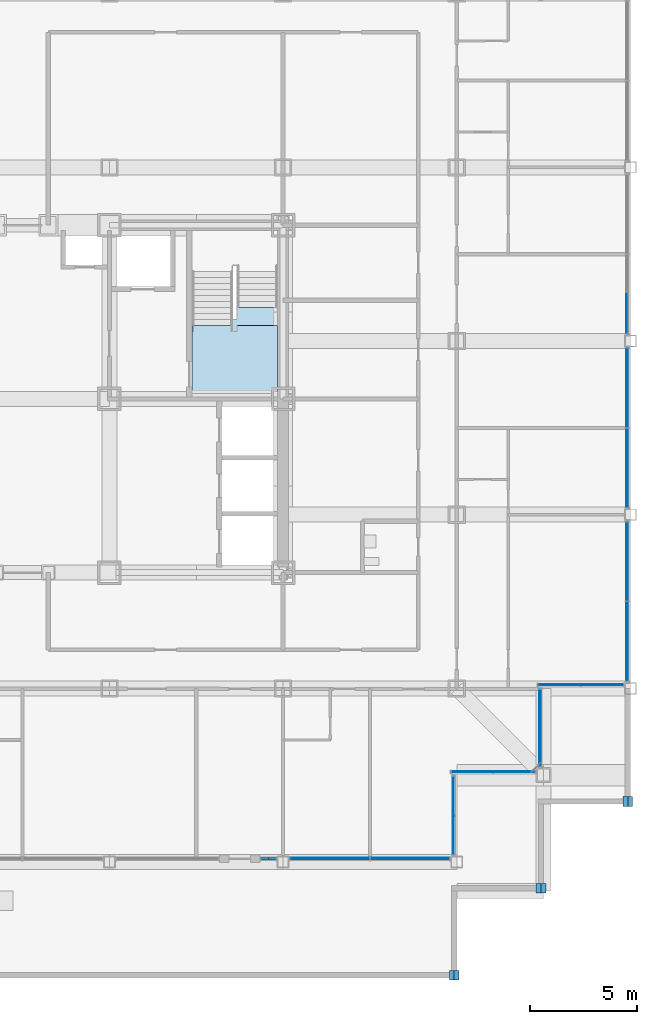
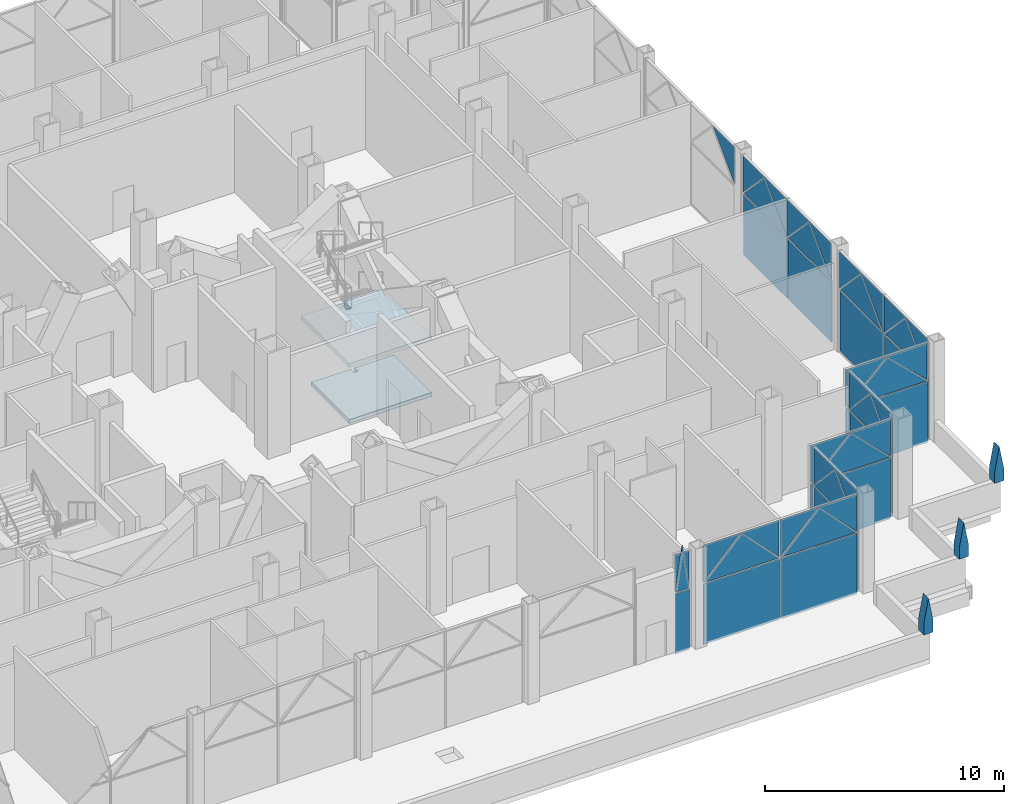
# One storey, part 14 of 29: 48 plates, 2 slabs, 10 elements without a shape of their own.
"""IFC4 building model written with IfcOpenShell, lengths in metres."""

import ifcopenshell
import ifcopenshell.guid

model = None  # the IFC model being written
_history = None  # IfcOwnerHistory: only IFC2X3 demands one
_inside = {}  # id of a spatial element -> (the spatial element, [elements in it])
_under = {}  # id of a project, library or spatial element -> (it, [spatial elements below it])
_declared = {}  # id of a project -> (the project, [libraries it declares])
_typed = {}  # id of a type object -> (the type object, [elements of that type])
_made_of = {}  # id of a material, layer set ... -> (it, [elements and type objects made of it])


def new_model(schema):
    """Start an empty IFC model of exactly this schema.

    Asked for "IFC4X3", IfcOpenShell would pick the latest addendum, in which some entities
    have other attributes; the version numbers below select the first issue.
    IFC2X3 requires an IfcOwnerHistory on every rooted entity: one is made here for all.
    """
    global model, _history
    if schema == "IFC4X3":
        model = ifcopenshell.file(schema_version=(4, 3, 0, 0))
    else:
        model = ifcopenshell.file(schema=schema)
    _inside.clear()
    _under.clear()
    _declared.clear()
    _typed.clear()
    _made_of.clear()
    _history = None
    if model.schema == "IFC2X3":
        org = make("IfcOrganization", Name="unknown")
        user = make(
            "IfcPersonAndOrganization",
            ThePerson=make("IfcPerson", FamilyName="unknown"),
            TheOrganization=org,
        )
        app = make(
            "IfcApplication",
            ApplicationDeveloper=org,
            Version="unknown",
            ApplicationFullName="unknown",
            ApplicationIdentifier="unknown",
        )
        _history = make(
            "IfcOwnerHistory",
            OwningUser=user,
            OwningApplication=app,
            ChangeAction="ADDED",
            CreationDate=0,
        )
    return model


def make(cls, **values):
    """One entity of the class cls with the attributes given. An attribute that is None is left unset."""
    return model.create_entity(
        cls, **{name: value for name, value in values.items() if value is not None}
    )


def rooted(cls, **values):
    """An entity with a GlobalId (a new one), such as an element, a storey or a relation."""
    return make(cls, GlobalId=ifcopenshell.guid.new(), OwnerHistory=_history, **values)


def si_unit(unit_type, name, prefix=None):
    """IfcSIUnit, for example si_unit("LENGTHUNIT", "METRE", prefix="MILLI")."""
    return make("IfcSIUnit", UnitType=unit_type, Prefix=prefix, Name=name)


def assignment(units):
    """IfcUnitAssignment: the units of a project."""
    return None if units is None else make("IfcUnitAssignment", Units=units)


def point(xyz):
    """IfcCartesianPoint."""
    return None if xyz is None else make("IfcCartesianPoint", Coordinates=xyz)


def direction(xyz):
    """IfcDirection."""
    return None if xyz is None else make("IfcDirection", DirectionRatios=xyz)


def frame(location, z_axis=None, x_axis=None):
    """IfcAxis2Placement3D, a coordinate frame: its origin and axes. An axis left out is left unset."""
    return make(
        "IfcAxis2Placement3D",
        Location=point(location),
        Axis=direction(z_axis),
        RefDirection=direction(x_axis),
    )


def frame_2d(location, x_axis=None):
    """IfcAxis2Placement2D, a coordinate frame in the plane: its origin and x axis."""
    return make(
        "IfcAxis2Placement2D", Location=point(location), RefDirection=direction(x_axis)
    )


def origin():
    """The frame at (0, 0, 0) with its axes left unset."""
    return frame((0.0, 0.0, 0.0))


def origin_2d():
    """The frame at (0, 0) in the plane with its x axis left unset."""
    return frame_2d((0.0, 0.0))


def place(relative_to, where):
    """IfcLocalPlacement: puts the frame where relative to a parent placement (None: the world)."""
    return make(
        "IfcLocalPlacement", PlacementRelTo=relative_to, RelativePlacement=where
    )


def context(
    kind, dimensions, precision=None, world=None, true_north=None, identifier=None
):
    """IfcGeometricRepresentationContext, for example the 3D "Model" context."""
    return make(
        "IfcGeometricRepresentationContext",
        ContextIdentifier=identifier,
        ContextType=kind,
        CoordinateSpaceDimension=dimensions,
        Precision=precision,
        WorldCoordinateSystem=world,
        TrueNorth=true_north,
    )


def subcontext(parent, identifier, kind, view, scale=None):
    """IfcGeometricRepresentationSubContext, for example "Body" below "Model"."""
    return make(
        "IfcGeometricRepresentationSubContext",
        ContextIdentifier=identifier,
        ContextType=kind,
        ParentContext=parent,
        TargetScale=scale,
        TargetView=view,
    )


def project(units=None, contexts=None):
    """IfcProject with its units and contexts."""
    return rooted(
        "IfcProject",
        Name="project",
        RepresentationContexts=contexts,
        UnitsInContext=assignment(units),
    )


def spatial(cls, under=None, at=None, **own):
    """A site, building, storey or space (cls), placed at a placement, below another one or the project."""
    s = rooted(cls, ObjectPlacement=at, **own)
    if under is not None:
        _under.setdefault(under.id(), (under, []))[1].append(s)
    return s


def polyline(points):
    """IfcPolyline through the points."""
    return make("IfcPolyline", Points=[point(p) for p in points])


def profile(cls, at=None, kind="AREA", **sizes):
    """A parametric profile (cls). Its sizes go by their IFC names, for example OverallWidth=200.0."""
    return make(cls, ProfileType=kind, Position=at, **sizes)


def rectangle(**sizes):
    """IfcRectangleProfileDef."""
    return profile("IfcRectangleProfileDef", **sizes)


def outline(outer, holes=None, kind="AREA"):
    """IfcArbitraryClosedProfileDef: a profile drawn as a closed curve; with holes, ...WithVoids."""
    if holes is None:
        return make("IfcArbitraryClosedProfileDef", ProfileType=kind, OuterCurve=outer)
    return make(
        "IfcArbitraryProfileDefWithVoids",
        ProfileType=kind,
        OuterCurve=outer,
        InnerCurves=holes,
    )


def extrude(swept, where, along, depth):
    """IfcExtrudedAreaSolid: the profile swept, set in the frame where, extruded along a direction by depth."""
    return make(
        "IfcExtrudedAreaSolid",
        SweptArea=swept,
        Position=where,
        ExtrudedDirection=direction(along),
        Depth=depth,
    )


def shape(context_of_items, identifier, shape_type, items):
    """IfcShapeRepresentation: the items that make up one representation, for example the "Body"."""
    return make(
        "IfcShapeRepresentation",
        ContextOfItems=context_of_items,
        RepresentationIdentifier=identifier,
        RepresentationType=shape_type,
        Items=items,
    )


def material(Name=None, Category=None):
    """IfcMaterial."""
    return make("IfcMaterial", Name=Name, Category=Category)


def layer(
    of_material, thickness, ventilated=None, Name=None, Category=None, Priority=None
):
    """IfcMaterialLayer: one layer of a wall or slab, of a material (None: an air gap)."""
    return make(
        "IfcMaterialLayer",
        Material=of_material,
        LayerThickness=thickness,
        IsVentilated=ventilated,
        Name=Name,
        Category=Category,
        Priority=Priority,
    )


def layer_set(layers, Name=None):
    """IfcMaterialLayerSet."""
    return make("IfcMaterialLayerSet", MaterialLayers=layers, LayerSetName=Name)


def made_of(thing, what):
    """Note that an element or type object is made of a material, layer set ...; save() writes the relation."""
    if what is not None:
        _made_of.setdefault(what.id(), (what, []))[1].append(thing)
    return thing


def type_object(cls, material=None, **own):
    """A type object (cls), such as IfcWallType, which elements share."""
    return made_of(rooted(cls, **own), material)


def element(
    cls,
    number,
    at=None,
    inside=None,
    cuts=None,
    type_object=None,
    material=None,
    context=None,
    identifier="Body",
    shape_type=None,
    held_by="IfcProductDefinitionShape",
    body=None,
    shapes=None,
    **own,
):
    """One element of the class cls, such as IfcWall. Its Tag is "e" and its number.

    at: its placement. inside: the storey or other place that contains it. cuts: it is an
    opening in that element (IfcRelVoidsElement). A single representation is given by context,
    identifier, shape_type and body (its items); several are given by shapes. held_by: the class
    of the entity that holds the representations. save() writes the other relations.
    """
    e = rooted(cls, Tag="e%d" % number, ObjectPlacement=at, **own)
    if body is not None:
        shapes = [shape(context, identifier, shape_type, body)]
    if shapes is not None:
        e.Representation = make(held_by, Representations=shapes)
    if inside is not None:
        _inside.setdefault(inside.id(), (inside, []))[1].append(e)
    if cuts is not None:
        rooted(
            "IfcRelVoidsElement", RelatingBuildingElement=cuts, RelatedOpeningElement=e
        )
    if type_object is not None:
        _typed.setdefault(type_object.id(), (type_object, []))[1].append(e)
    return made_of(e, material)


def aggregate(whole, parts):
    """IfcRelAggregates: a whole, such as a stair, and the parts it consists of."""
    return rooted("IfcRelAggregates", RelatingObject=whole, RelatedObjects=parts)


def save(model, path):
    """Write the relations noted so far, then the file.

    IfcRelAggregates (storeys below a building ...), IfcRelContainedInSpatialStructure (elements
    in a storey), IfcRelDefinesByType, IfcRelAssociatesMaterial and IfcRelDeclares: one each for
    every whole, place, type object, material and project.
    """
    for whole, parts in _under.values():
        aggregate(whole, parts)
    for where, things in _inside.values():
        rooted(
            "IfcRelContainedInSpatialStructure",
            RelatedElements=things,
            RelatingStructure=where,
        )
    for kind, things in _typed.values():
        rooted("IfcRelDefinesByType", RelatedObjects=things, RelatingType=kind)
    for what, things in _made_of.values():
        rooted("IfcRelAssociatesMaterial", RelatedObjects=things, RelatingMaterial=what)
    for by, libraries in _declared.values():
        rooted("IfcRelDeclares", RelatingContext=by, RelatedDefinitions=libraries)
    model.write(path)


model = new_model("IFC4")

# Units and contexts
model_context = context("Model", 3, precision=1e-05, world=origin(), true_north=direction((0.0, 1.0)))
body_context = subcontext(model_context, "Body", "Model", "MODEL_VIEW")
ifc_project = project(units=[si_unit("LENGTHUNIT", "METRE"), si_unit("AREAUNIT", "SQUARE_METRE"), si_unit("VOLUMEUNIT", "CUBIC_METRE"), si_unit("PLANEANGLEUNIT", "RADIAN"), si_unit("MASSUNIT", "GRAM", prefix="KILO")], contexts=[model_context])

# Site, building, storey
site_placement = place(None, origin())
site = spatial("IfcSite", under=ifc_project, at=site_placement, CompositionType="ELEMENT")
building_placement = place(site_placement, origin())
building = spatial("IfcBuilding", under=site, at=building_placement, Name="Kopane Lantern Tower", CompositionType="ELEMENT")
storey_placement = place(building_placement, frame((0.0, 0.0, 165.0)))
storey = spatial("IfcBuildingStorey", under=building, at=storey_placement, Name="L42", CompositionType="ELEMENT", Elevation=165.0)

# Curtain wall, plates
ifc_material_1 = material(Name="Aluminium and clear glass", Category="aluminium")
curtain_wall_type = type_object("IfcCurtainWallType", Name="CURTAIN WALL CW4 RESIDENCES LOBBY", PredefinedType="USERDEFINED", material=ifc_material_1)
curtain_wall_1_placement = place(storey_placement, origin())
curtain_wall_1 = element("IfcCurtainWall", 1, at=curtain_wall_1_placement, inside=storey, type_object=curtain_wall_type, Name="Curtain wall CW4 S L42", ObjectType="CURTAIN WALL", PredefinedType="USERDEFINED")
ifc_material_2 = material(Name="Insulated clear glass unit", Category="glass")
ifc_layer_1 = layer(ifc_material_2, 0.028076171875)
ifc_layer_set_1 = layer_set([ifc_layer_1], Name="CURTAIN PANEL CW4-P 28")
plate_type_1 = type_object("IfcPlateType", Name="CURTAIN PANEL CW4-P 28", PredefinedType="CURTAIN_PANEL", material=ifc_layer_set_1)
plate_1_placement = place(storey_placement, frame((39.822509765625, 10.949951171875, 0.06005859375), z_axis=(0.0, 0.0, 1.0), x_axis=(1.0, 0.0, 0.0)))
plate_1 = element("IfcPlate", 2, at=plate_1_placement, type_object=plate_type_1, Name="CW4 panel 1.1", PredefinedType="CURTAIN_PANEL", context=body_context, shape_type="SweptSolid", body=[
    extrude(rectangle(XDim=0.675048828125, YDim=0.028076171875, at=origin_2d()), origin(), (0.0, 0.0, 1.0), 3.10009765625),
])
plate_2_placement = place(storey_placement, frame((39.485107421875, 10.949951171875, 3.219970703125), z_axis=(0.0, 0.0, 1.0), x_axis=(1.0, 0.0, 0.0)))
plate_2 = element("IfcPlate", 3, at=plate_2_placement, type_object=plate_type_1, Name="CW4 lancet panel 1", PredefinedType="CURTAIN_PANEL", context=body_context, shape_type="SweptSolid", body=[
    extrude(outline(polyline([(0.0, 0.0), (0.6748046875, 0.0), (0.675048828125, 0.0009765625), (0.33740234375, 2.30712890625), (0.0, 0.0009765625), (0.0, 0.0)])), frame((0.0, 0.01416015625, 0.0), z_axis=(0.0, -1.0, 0.0), x_axis=(1.0, 0.0, 0.0)), (0.0, 0.0, 1.0), 0.028076171875),
])
plate_3_placement = place(storey_placement, frame((39.485107421875, 10.97998046875, 5.1298828125), z_axis=(0.0, 0.0, 1.0), x_axis=(1.0, 0.0, 0.0)))
plate_3 = element("IfcPlate", 4, at=plate_3_placement, type_object=plate_type_1, Name="CW4 spandrel panel 1L", PredefinedType="CURTAIN_PANEL", context=body_context, shape_type="SweptSolid", body=[
    extrude(outline(polyline([(0.0, 0.0), (0.33740234375, 0.0), (0.33740234375, -0.0009765625), (0.0, -1.901123046875), (0.0, 0.0)])), frame((0.0, 0.01416015625, 0.0), z_axis=(0.0, -1.0, 0.0), x_axis=(1.0, 0.0, 0.0)), (0.0, 0.0, 1.0), 0.028076171875),
])
plate_4_placement = place(storey_placement, frame((40.159912109375, 10.97998046875, 5.1298828125), z_axis=(0.0, 0.0, 1.0), x_axis=(-1.0, 0.0, 0.0)))
plate_4 = element("IfcPlate", 5, at=plate_4_placement, type_object=plate_type_1, Name="CW4 spandrel panel 1R", PredefinedType="CURTAIN_PANEL", context=body_context, shape_type="SweptSolid", body=[
    extrude(outline(polyline([(0.0, 0.0), (0.33740234375, 0.0), (0.33740234375, -0.0009765625), (0.0, -1.901123046875), (0.0, 0.0)])), frame((0.0, 0.01416015625, 0.0), z_axis=(0.0, -1.0, 0.0), x_axis=(1.0, 0.0, 0.0)), (0.0, 0.0, 1.0), 0.028076171875),
])
aggregate(curtain_wall_1, [plate_1, plate_2, plate_3, plate_4])

curtain_wall_2_placement = place(storey_placement, origin())
curtain_wall_2 = element("IfcCurtainWall", 6, at=curtain_wall_2_placement, inside=storey, type_object=curtain_wall_type, Name="Curtain wall CW4 S L42", ObjectType="CURTAIN WALL", PredefinedType="USERDEFINED")
plate_5_placement = place(storey_placement, frame((42.679931640625, 10.949951171875, 0.06005859375), z_axis=(0.0, 0.0, 1.0), x_axis=(1.0, 0.0, 0.0)))
plate_5 = element("IfcPlate", 7, at=plate_5_placement, type_object=plate_type_1, Name="CW4 panel 1.1", PredefinedType="CURTAIN_PANEL", context=body_context, shape_type="SweptSolid", body=[
    extrude(rectangle(XDim=3.679931640625, YDim=0.028076171875, at=origin_2d()), origin(), (0.0, 0.0, 1.0), 3.10009765625),
])
plate_6_placement = place(storey_placement, frame((46.419921875, 10.949951171875, 0.06005859375), z_axis=(0.0, 0.0, 1.0), x_axis=(1.0, 0.0, 0.0)))
plate_6 = element("IfcPlate", 8, at=plate_6_placement, type_object=plate_type_1, Name="CW4 panel 2.1", PredefinedType="CURTAIN_PANEL", context=body_context, shape_type="SweptSolid", body=[
    extrude(rectangle(XDim=3.679931640625, YDim=0.028076171875, at=origin_2d()), origin(), (0.0, 0.0, 1.0), 3.10009765625),
])
plate_7_placement = place(storey_placement, frame((40.840087890625, 10.949951171875, 3.219970703125), z_axis=(0.0, 0.0, 1.0), x_axis=(1.0, 0.0, 0.0)))
plate_7 = element("IfcPlate", 9, at=plate_7_placement, type_object=plate_type_1, Name="CW4 lancet panel 1", PredefinedType="CURTAIN_PANEL", context=body_context, shape_type="SweptSolid", body=[
    extrude(outline(polyline([(0.0, 0.0), (3.679931640625, 0.0), (3.679931640625, 0.0009765625), (1.840087890625, 1.913330078125), (0.0, 0.0009765625), (0.0, 0.0)])), frame((0.0, 0.01416015625, 0.0), z_axis=(0.0, -1.0, 0.0), x_axis=(1.0, 0.0, 0.0)), (0.0, 0.0, 1.0), 0.028076171875),
])
plate_8_placement = place(storey_placement, frame((40.840087890625, 10.97998046875, 5.1298828125), z_axis=(0.0, 0.0, 1.0), x_axis=(1.0, 0.0, 0.0)))
plate_8 = element("IfcPlate", 10, at=plate_8_placement, type_object=plate_type_1, Name="CW4 spandrel panel 1L", PredefinedType="CURTAIN_PANEL", context=body_context, shape_type="SweptSolid", body=[
    extrude(outline(polyline([(0.0, 0.0), (1.83984375, 0.0), (1.840087890625, -0.0009765625), (0.0, -1.8681640625), (0.0, 0.0)])), frame((0.0, 0.01416015625, 0.0), z_axis=(0.0, -1.0, 0.0), x_axis=(1.0, 0.0, 0.0)), (0.0, 0.0, 1.0), 0.028076171875),
])
plate_9_placement = place(storey_placement, frame((44.52001953125, 10.97998046875, 5.1298828125), z_axis=(0.0, 0.0, 1.0), x_axis=(-1.0, 0.0, 0.0)))
plate_9 = element("IfcPlate", 11, at=plate_9_placement, type_object=plate_type_1, Name="CW4 spandrel panel 1R", PredefinedType="CURTAIN_PANEL", context=body_context, shape_type="SweptSolid", body=[
    extrude(outline(polyline([(0.0, 0.0), (1.840087890625, 0.0), (1.840087890625, -0.0009765625), (0.0, -1.8681640625), (0.0, 0.0)])), frame((0.0, 0.01416015625, 0.0), z_axis=(0.0, -1.0, 0.0), x_axis=(1.0, 0.0, 0.0)), (0.0, 0.0, 1.0), 0.028076171875),
])
plate_10_placement = place(storey_placement, frame((44.580078125, 10.949951171875, 3.219970703125), z_axis=(0.0, 0.0, 1.0), x_axis=(1.0, 0.0, 0.0)))
plate_10 = element("IfcPlate", 12, at=plate_10_placement, type_object=plate_type_1, Name="CW4 lancet panel 2", PredefinedType="CURTAIN_PANEL", context=body_context, shape_type="SweptSolid", body=[
    extrude(outline(polyline([(0.0, 0.0), (3.679931640625, 0.0), (3.679931640625, 0.0009765625), (1.840087890625, 1.913330078125), (0.0, 0.0009765625), (0.0, 0.0)])), frame((0.0, 0.01416015625, 0.0), z_axis=(0.0, -1.0, 0.0), x_axis=(1.0, 0.0, 0.0)), (0.0, 0.0, 1.0), 0.028076171875),
])
plate_11_placement = place(storey_placement, frame((44.580078125, 10.97998046875, 5.1298828125), z_axis=(0.0, 0.0, 1.0), x_axis=(1.0, 0.0, 0.0)))
plate_11 = element("IfcPlate", 13, at=plate_11_placement, type_object=plate_type_1, Name="CW4 spandrel panel 2L", PredefinedType="CURTAIN_PANEL", context=body_context, shape_type="SweptSolid", body=[
    extrude(outline(polyline([(0.0, 0.0), (1.83984375, 0.0), (1.840087890625, -0.0009765625), (0.0, -1.8681640625), (0.0, 0.0)])), frame((0.0, 0.01416015625, 0.0), z_axis=(0.0, -1.0, 0.0), x_axis=(1.0, 0.0, 0.0)), (0.0, 0.0, 1.0), 0.028076171875),
])
plate_12_placement = place(storey_placement, frame((48.260009765625, 10.97998046875, 5.1298828125), z_axis=(0.0, 0.0, 1.0), x_axis=(-1.0, 0.0, 0.0)))
plate_12 = element("IfcPlate", 14, at=plate_12_placement, type_object=plate_type_1, Name="CW4 spandrel panel 2R", PredefinedType="CURTAIN_PANEL", context=body_context, shape_type="SweptSolid", body=[
    extrude(outline(polyline([(0.0, 0.0), (1.840087890625, 0.0), (1.840087890625, -0.0009765625), (0.0, -1.8681640625), (0.0, 0.0)])), frame((0.0, 0.01416015625, 0.0), z_axis=(0.0, -1.0, 0.0), x_axis=(1.0, 0.0, 0.0)), (0.0, 0.0, 1.0), 0.028076171875),
])
aggregate(curtain_wall_2, [plate_5, plate_6, plate_7, plate_8, plate_9, plate_10, plate_11, plate_12])

curtain_wall_3_placement = place(storey_placement, origin())
curtain_wall_3 = element("IfcCurtainWall", 15, at=curtain_wall_3_placement, inside=storey, type_object=curtain_wall_type, Name="Curtain wall CW4 E L42", ObjectType="CURTAIN WALL", PredefinedType="USERDEFINED")
plate_13_placement = place(storey_placement, frame((48.449951171875, 12.97509765625, 0.06005859375), z_axis=(0.0, 0.0, 1.0), x_axis=(0.0, 1.0, 0.0)))
plate_13 = element("IfcPlate", 16, at=plate_13_placement, type_object=plate_type_1, Name="CW4 panel 1.1", PredefinedType="CURTAIN_PANEL", context=body_context, shape_type="SweptSolid", body=[
    extrude(rectangle(XDim=3.6298828125, YDim=0.028076171875, at=origin_2d()), origin(), (0.0, 0.0, 1.0), 3.10009765625),
])
plate_14_placement = place(storey_placement, frame((48.449951171875, 11.159912109375, 3.219970703125), z_axis=(0.0, 0.0, 1.0), x_axis=(0.0, 1.0, 0.0)))
plate_14 = element("IfcPlate", 17, at=plate_14_placement, type_object=plate_type_1, Name="CW4 lancet panel 1", PredefinedType="CURTAIN_PANEL", context=body_context, shape_type="SweptSolid", body=[
    extrude(outline(polyline([(0.0, 0.0), (3.630126953125, 0.0), (3.6298828125, 0.0009765625), (1.81494140625, 1.914794921875), (0.0, 0.0009765625), (0.0, 0.0)])), frame((0.0, 0.01416015625, 0.0), z_axis=(0.0, -1.0, 0.0), x_axis=(1.0, 0.0, 0.0)), (0.0, 0.0, 1.0), 0.028076171875),
])
plate_15_placement = place(storey_placement, frame((48.419921875, 11.159912109375, 5.1298828125), z_axis=(0.0, 0.0, 1.0), x_axis=(0.0, 1.0, 0.0)))
plate_15 = element("IfcPlate", 18, at=plate_15_placement, type_object=plate_type_1, Name="CW4 spandrel panel 1L", PredefinedType="CURTAIN_PANEL", context=body_context, shape_type="SweptSolid", body=[
    extrude(outline(polyline([(0.0, 0.0), (1.815185546875, 0.0), (1.81494140625, -0.0009765625), (0.0, -1.86865234375), (0.0, 0.0)])), frame((0.0, 0.01416015625, 0.0), z_axis=(0.0, -1.0, 0.0), x_axis=(1.0, 0.0, 0.0)), (0.0, 0.0, 1.0), 0.028076171875),
])
plate_16_placement = place(storey_placement, frame((48.419921875, 14.7900390625, 5.1298828125), z_axis=(0.0, 0.0, 1.0), x_axis=(0.0, -1.0, 0.0)))
plate_16 = element("IfcPlate", 19, at=plate_16_placement, type_object=plate_type_1, Name="CW4 spandrel panel 1R", PredefinedType="CURTAIN_PANEL", context=body_context, shape_type="SweptSolid", body=[
    extrude(outline(polyline([(0.0, 0.0), (1.81494140625, 0.0), (1.81494140625, -0.0009765625), (0.0, -1.86865234375), (0.0, 0.0)])), frame((0.0, 0.01416015625, 0.0), z_axis=(0.0, -1.0, 0.0), x_axis=(1.0, 0.0, 0.0)), (0.0, 0.0, 1.0), 0.028076171875),
])
aggregate(curtain_wall_3, [plate_13, plate_14, plate_15, plate_16])

curtain_wall_4_placement = place(storey_placement, origin())
curtain_wall_4 = element("IfcCurtainWall", 20, at=curtain_wall_4_placement, inside=storey, type_object=curtain_wall_type, Name="Curtain wall CW4 S L42", ObjectType="CURTAIN WALL", PredefinedType="USERDEFINED")
plate_17_placement = place(storey_placement, frame((50.297607421875, 15.0, 0.06005859375), z_axis=(0.0, 0.0, 1.0), x_axis=(1.0, 0.0, 0.0)))
plate_17 = element("IfcPlate", 21, at=plate_17_placement, type_object=plate_type_1, Name="CW4 panel 1.1", PredefinedType="CURTAIN_PANEL", context=body_context, shape_type="SweptSolid", body=[
    extrude(rectangle(XDim=3.875, YDim=0.028076171875, at=origin_2d()), origin(), (0.0, 0.0, 1.0), 3.10009765625),
])
plate_18_placement = place(storey_placement, frame((48.360107421875, 15.0, 3.219970703125), z_axis=(0.0, 0.0, 1.0), x_axis=(1.0, 0.0, 0.0)))
plate_18 = element("IfcPlate", 22, at=plate_18_placement, type_object=plate_type_1, Name="CW4 lancet panel 1", PredefinedType="CURTAIN_PANEL", context=body_context, shape_type="SweptSolid", body=[
    extrude(outline(polyline([(0.0, 0.0), (3.875, 0.0), (3.875, 0.0009765625), (1.9375, 1.90869140625), (0.0, 0.0009765625), (0.0, 0.0)])), frame((0.0, 0.01416015625, 0.0), z_axis=(0.0, -1.0, 0.0), x_axis=(1.0, 0.0, 0.0)), (0.0, 0.0, 1.0), 0.028076171875),
])
plate_19_placement = place(storey_placement, frame((48.360107421875, 15.030029296875, 5.1298828125), z_axis=(0.0, 0.0, 1.0), x_axis=(1.0, 0.0, 0.0)))
plate_19 = element("IfcPlate", 23, at=plate_19_placement, type_object=plate_type_1, Name="CW4 spandrel panel 1L", PredefinedType="CURTAIN_PANEL", context=body_context, shape_type="SweptSolid", body=[
    extrude(outline(polyline([(0.0, 0.0), (1.9375, 0.0), (1.9375, -0.0009765625), (0.0, -1.8671875), (0.0, 0.0)])), frame((0.0, 0.01416015625, 0.0), z_axis=(0.0, -1.0, 0.0), x_axis=(1.0, 0.0, 0.0)), (0.0, 0.0, 1.0), 0.028076171875),
])
plate_20_placement = place(storey_placement, frame((52.235107421875, 15.030029296875, 5.1298828125), z_axis=(0.0, 0.0, 1.0), x_axis=(-1.0, 0.0, 0.0)))
plate_20 = element("IfcPlate", 24, at=plate_20_placement, type_object=plate_type_1, Name="CW4 spandrel panel 1R", PredefinedType="CURTAIN_PANEL", context=body_context, shape_type="SweptSolid", body=[
    extrude(outline(polyline([(0.0, 0.0), (1.9375, 0.0), (1.9375, -0.0009765625), (0.0, -1.8671875), (0.0, 0.0)])), frame((0.0, 0.01416015625, 0.0), z_axis=(0.0, -1.0, 0.0), x_axis=(1.0, 0.0, 0.0)), (0.0, 0.0, 1.0), 0.028076171875),
])
aggregate(curtain_wall_4, [plate_17, plate_18, plate_19, plate_20])

curtain_wall_5_placement = place(storey_placement, origin())
curtain_wall_5 = element("IfcCurtainWall", 25, at=curtain_wall_5_placement, inside=storey, type_object=curtain_wall_type, Name="Curtain wall CW4 E L42", ObjectType="CURTAIN WALL", PredefinedType="USERDEFINED")
plate_21_placement = place(storey_placement, frame((52.5, 17.052490234375, 0.06005859375), z_axis=(0.0, 0.0, 1.0), x_axis=(0.0, 1.0, 0.0)))
plate_21 = element("IfcPlate", 26, at=plate_21_placement, type_object=plate_type_1, Name="CW4 panel 1.1", PredefinedType="CURTAIN_PANEL", context=body_context, shape_type="SweptSolid", body=[
    extrude(rectangle(XDim=3.574951171875, YDim=0.028076171875, at=origin_2d()), origin(), (0.0, 0.0, 1.0), 3.10009765625),
])
plate_22_placement = place(storey_placement, frame((52.5, 15.264892578125, 3.219970703125), z_axis=(0.0, 0.0, 1.0), x_axis=(0.0, 1.0, 0.0)))
plate_22 = element("IfcPlate", 27, at=plate_22_placement, type_object=plate_type_1, Name="CW4 lancet panel 1", PredefinedType="CURTAIN_PANEL", context=body_context, shape_type="SweptSolid", body=[
    extrude(outline(polyline([(0.0, 0.0), (3.5751953125, 0.0), (3.574951171875, 0.0009765625), (1.78759765625, 1.916015625), (0.0, 0.0009765625), (0.0, 0.0)])), frame((0.0, 0.01416015625, 0.0), z_axis=(0.0, -1.0, 0.0), x_axis=(1.0, 0.0, 0.0)), (0.0, 0.0, 1.0), 0.028076171875),
])
plate_23_placement = place(storey_placement, frame((52.469970703125, 15.264892578125, 5.1298828125), z_axis=(0.0, 0.0, 1.0), x_axis=(0.0, 1.0, 0.0)))
plate_23 = element("IfcPlate", 28, at=plate_23_placement, type_object=plate_type_1, Name="CW4 spandrel panel 1L", PredefinedType="CURTAIN_PANEL", context=body_context, shape_type="SweptSolid", body=[
    extrude(outline(polyline([(0.0, 0.0), (1.78759765625, 0.0), (1.78759765625, -0.0009765625), (0.0, -1.868896484375), (0.0, 0.0)])), frame((0.0, 0.01416015625, 0.0), z_axis=(0.0, -1.0, 0.0), x_axis=(1.0, 0.0, 0.0)), (0.0, 0.0, 1.0), 0.028076171875),
])
plate_24_placement = place(storey_placement, frame((52.469970703125, 18.840087890625, 5.1298828125), z_axis=(0.0, 0.0, 1.0), x_axis=(0.0, -1.0, 0.0)))
plate_24 = element("IfcPlate", 29, at=plate_24_placement, type_object=plate_type_1, Name="CW4 spandrel panel 1R", PredefinedType="CURTAIN_PANEL", context=body_context, shape_type="SweptSolid", body=[
    extrude(outline(polyline([(0.0, 0.0), (1.78759765625, 0.0), (1.78759765625, -0.0009765625), (0.0, -1.868896484375), (0.0, 0.0)])), frame((0.0, 0.01416015625, 0.0), z_axis=(0.0, -1.0, 0.0), x_axis=(1.0, 0.0, 0.0)), (0.0, 0.0, 1.0), 0.028076171875),
])
aggregate(curtain_wall_5, [plate_21, plate_22, plate_23, plate_24])

curtain_wall_6_placement = place(storey_placement, origin())
curtain_wall_6 = element("IfcCurtainWall", 30, at=curtain_wall_6_placement, inside=storey, type_object=curtain_wall_type, Name="Curtain wall CW4 S L42", ObjectType="CURTAIN WALL", PredefinedType="USERDEFINED")
plate_25_placement = place(storey_placement, frame((54.385009765625, 19.050048828125, 0.06005859375), z_axis=(0.0, 0.0, 1.0), x_axis=(1.0, 0.0, 0.0)))
plate_25 = element("IfcPlate", 31, at=plate_25_placement, type_object=plate_type_1, Name="CW4 panel 1.1", PredefinedType="CURTAIN_PANEL", context=body_context, shape_type="SweptSolid", body=[
    extrude(rectangle(XDim=3.949951171875, YDim=0.028076171875, at=origin_2d()), origin(), (0.0, 0.0, 1.0), 3.10009765625),
])
plate_26_placement = place(storey_placement, frame((52.409912109375, 19.050048828125, 3.219970703125), z_axis=(0.0, 0.0, 1.0), x_axis=(1.0, 0.0, 0.0)))
plate_26 = element("IfcPlate", 32, at=plate_26_placement, type_object=plate_type_1, Name="CW4 lancet panel 1", PredefinedType="CURTAIN_PANEL", context=body_context, shape_type="SweptSolid", body=[
    extrude(outline(polyline([(0.0, 0.0), (3.9501953125, 0.0), (3.949951171875, 0.0009765625), (1.97509765625, 1.9072265625), (0.0, 0.0009765625), (0.0, 0.0)])), frame((0.0, 0.01416015625, 0.0), z_axis=(0.0, -1.0, 0.0), x_axis=(1.0, 0.0, 0.0)), (0.0, 0.0, 1.0), 0.028076171875),
])
plate_27_placement = place(storey_placement, frame((52.409912109375, 19.080078125, 5.1298828125), z_axis=(0.0, 0.0, 1.0), x_axis=(1.0, 0.0, 0.0)))
plate_27 = element("IfcPlate", 33, at=plate_27_placement, type_object=plate_type_1, Name="CW4 spandrel panel 1L", PredefinedType="CURTAIN_PANEL", context=body_context, shape_type="SweptSolid", body=[
    extrude(outline(polyline([(0.0, 0.0), (1.97509765625, 0.0), (1.97509765625, -0.0009765625), (0.0, -1.86669921875), (0.0, 0.0)])), frame((0.0, 0.01416015625, 0.0), z_axis=(0.0, -1.0, 0.0), x_axis=(1.0, 0.0, 0.0)), (0.0, 0.0, 1.0), 0.028076171875),
])
plate_28_placement = place(storey_placement, frame((56.360107421875, 19.080078125, 5.1298828125), z_axis=(0.0, 0.0, 1.0), x_axis=(-1.0, 0.0, 0.0)))
plate_28 = element("IfcPlate", 34, at=plate_28_placement, type_object=plate_type_1, Name="CW4 spandrel panel 1R", PredefinedType="CURTAIN_PANEL", context=body_context, shape_type="SweptSolid", body=[
    extrude(outline(polyline([(0.0, 0.0), (1.97509765625, 0.0), (1.97509765625, -0.0009765625), (0.0, -1.86669921875), (0.0, 0.0)])), frame((0.0, 0.01416015625, 0.0), z_axis=(0.0, -1.0, 0.0), x_axis=(1.0, 0.0, 0.0)), (0.0, 0.0, 1.0), 0.028076171875),
])
aggregate(curtain_wall_6, [plate_25, plate_26, plate_27, plate_28])

curtain_wall_7_placement = place(storey_placement, origin())
curtain_wall_7 = element("IfcCurtainWall", 35, at=curtain_wall_7_placement, inside=storey, type_object=curtain_wall_type, Name="Curtain wall CW4 E L42", ObjectType="CURTAIN WALL", PredefinedType="USERDEFINED")
plate_29_placement = place(storey_placement, frame((56.550048828125, 21.094970703125, 0.06005859375), z_axis=(0.0, 0.0, 1.0), x_axis=(0.0, 1.0, 0.0)))
plate_29 = element("IfcPlate", 36, at=plate_29_placement, type_object=plate_type_1, Name="CW4 panel 1.1", PredefinedType="CURTAIN_PANEL", context=body_context, shape_type="SweptSolid", body=[
    extrude(rectangle(XDim=3.669921875, YDim=0.028076171875, at=origin_2d()), origin(), (0.0, 0.0, 1.0), 3.10009765625),
])
plate_30_placement = place(storey_placement, frame((56.550048828125, 24.824951171875, 0.06005859375), z_axis=(0.0, 0.0, 1.0), x_axis=(0.0, 1.0, 0.0)))
plate_30 = element("IfcPlate", 37, at=plate_30_placement, type_object=plate_type_1, Name="CW4 panel 2.1", PredefinedType="CURTAIN_PANEL", context=body_context, shape_type="SweptSolid", body=[
    extrude(rectangle(XDim=3.669921875, YDim=0.028076171875, at=origin_2d()), origin(), (0.0, 0.0, 1.0), 3.10009765625),
])
plate_31_placement = place(storey_placement, frame((56.550048828125, 19.260009765625, 3.219970703125), z_axis=(0.0, 0.0, 1.0), x_axis=(0.0, 1.0, 0.0)))
plate_31 = element("IfcPlate", 38, at=plate_31_placement, type_object=plate_type_1, Name="CW4 lancet panel 1", PredefinedType="CURTAIN_PANEL", context=body_context, shape_type="SweptSolid", body=[
    extrude(outline(polyline([(0.0, 0.0), (3.669921875, 0.0), (3.669921875, 0.0009765625), (1.8349609375, 1.91357421875), (0.0, 0.0009765625), (0.0, 0.0)])), frame((0.0, 0.01416015625, 0.0), z_axis=(0.0, -1.0, 0.0), x_axis=(1.0, 0.0, 0.0)), (0.0, 0.0, 1.0), 0.028076171875),
])
plate_32_placement = place(storey_placement, frame((56.52001953125, 19.260009765625, 5.1298828125), z_axis=(0.0, 0.0, 1.0), x_axis=(0.0, 1.0, 0.0)))
plate_32 = element("IfcPlate", 39, at=plate_32_placement, type_object=plate_type_1, Name="CW4 spandrel panel 1L", PredefinedType="CURTAIN_PANEL", context=body_context, shape_type="SweptSolid", body=[
    extrude(outline(polyline([(0.0, 0.0), (1.8349609375, 0.0), (1.8349609375, -0.0009765625), (0.0, -1.868408203125), (0.0, 0.0)])), frame((0.0, 0.01416015625, 0.0), z_axis=(0.0, -1.0, 0.0), x_axis=(1.0, 0.0, 0.0)), (0.0, 0.0, 1.0), 0.028076171875),
])
plate_33_placement = place(storey_placement, frame((56.52001953125, 22.929931640625, 5.1298828125), z_axis=(0.0, 0.0, 1.0), x_axis=(0.0, -1.0, 0.0)))
plate_33 = element("IfcPlate", 40, at=plate_33_placement, type_object=plate_type_1, Name="CW4 spandrel panel 1R", PredefinedType="CURTAIN_PANEL", context=body_context, shape_type="SweptSolid", body=[
    extrude(outline(polyline([(0.0, 0.0), (1.8349609375, 0.0), (1.8349609375, -0.0009765625), (0.0, -1.868408203125), (0.0, 0.0)])), frame((0.0, 0.01416015625, 0.0), z_axis=(0.0, -1.0, 0.0), x_axis=(1.0, 0.0, 0.0)), (0.0, 0.0, 1.0), 0.028076171875),
])
plate_34_placement = place(storey_placement, frame((56.550048828125, 22.989990234375, 3.219970703125), z_axis=(0.0, 0.0, 1.0), x_axis=(0.0, 1.0, 0.0)))
plate_34 = element("IfcPlate", 41, at=plate_34_placement, type_object=plate_type_1, Name="CW4 lancet panel 2", PredefinedType="CURTAIN_PANEL", context=body_context, shape_type="SweptSolid", body=[
    extrude(outline(polyline([(0.0, 0.0), (3.669921875, 0.0), (3.669921875, 0.0009765625), (1.8349609375, 1.91357421875), (0.0, 0.0009765625), (0.0, 0.0)])), frame((0.0, 0.01416015625, 0.0), z_axis=(0.0, -1.0, 0.0), x_axis=(1.0, 0.0, 0.0)), (0.0, 0.0, 1.0), 0.028076171875),
])
plate_35_placement = place(storey_placement, frame((56.52001953125, 22.989990234375, 5.1298828125), z_axis=(0.0, 0.0, 1.0), x_axis=(0.0, 1.0, 0.0)))
plate_35 = element("IfcPlate", 42, at=plate_35_placement, type_object=plate_type_1, Name="CW4 spandrel panel 2L", PredefinedType="CURTAIN_PANEL", context=body_context, shape_type="SweptSolid", body=[
    extrude(outline(polyline([(0.0, 0.0), (1.8349609375, 0.0), (1.8349609375, -0.0009765625), (0.0, -1.868408203125), (0.0, 0.0)])), frame((0.0, 0.01416015625, 0.0), z_axis=(0.0, -1.0, 0.0), x_axis=(1.0, 0.0, 0.0)), (0.0, 0.0, 1.0), 0.028076171875),
])
plate_36_placement = place(storey_placement, frame((56.52001953125, 26.659912109375, 5.1298828125), z_axis=(0.0, 0.0, 1.0), x_axis=(0.0, -1.0, 0.0)))
plate_36 = element("IfcPlate", 43, at=plate_36_placement, type_object=plate_type_1, Name="CW4 spandrel panel 2R", PredefinedType="CURTAIN_PANEL", context=body_context, shape_type="SweptSolid", body=[
    extrude(outline(polyline([(0.0, 0.0), (1.8349609375, 0.0), (1.8349609375, -0.0009765625), (0.0, -1.868408203125), (0.0, 0.0)])), frame((0.0, 0.01416015625, 0.0), z_axis=(0.0, -1.0, 0.0), x_axis=(1.0, 0.0, 0.0)), (0.0, 0.0, 1.0), 0.028076171875),
])
aggregate(curtain_wall_7, [plate_29, plate_30, plate_31, plate_32, plate_33, plate_34, plate_35, plate_36])

curtain_wall_8_placement = place(storey_placement, origin())
curtain_wall_8 = element("IfcCurtainWall", 44, at=curtain_wall_8_placement, inside=storey, type_object=curtain_wall_type, Name="Curtain wall CW4 E L42", ObjectType="CURTAIN WALL", PredefinedType="USERDEFINED")
plate_37_placement = place(storey_placement, frame((56.550048828125, 29.179931640625, 0.06005859375), z_axis=(0.0, 0.0, 1.0), x_axis=(0.0, 1.0, 0.0)))
plate_37 = element("IfcPlate", 45, at=plate_37_placement, type_object=plate_type_1, Name="CW4 panel 1.1", PredefinedType="CURTAIN_PANEL", context=body_context, shape_type="SweptSolid", body=[
    extrude(rectangle(XDim=3.679931640625, YDim=0.028076171875, at=origin_2d()), origin(), (0.0, 0.0, 1.0), 3.10009765625),
])
plate_38_placement = place(storey_placement, frame((56.550048828125, 32.919921875, 0.06005859375), z_axis=(0.0, 0.0, 1.0), x_axis=(0.0, 1.0, 0.0)))
plate_38 = element("IfcPlate", 46, at=plate_38_placement, type_object=plate_type_1, Name="CW4 panel 2.1", PredefinedType="CURTAIN_PANEL", context=body_context, shape_type="SweptSolid", body=[
    extrude(rectangle(XDim=3.679931640625, YDim=0.028076171875, at=origin_2d()), origin(), (0.0, 0.0, 1.0), 3.10009765625),
])
plate_39_placement = place(storey_placement, frame((56.550048828125, 27.340087890625, 3.219970703125), z_axis=(0.0, 0.0, 1.0), x_axis=(0.0, 1.0, 0.0)))
plate_39 = element("IfcPlate", 47, at=plate_39_placement, type_object=plate_type_1, Name="CW4 lancet panel 1", PredefinedType="CURTAIN_PANEL", context=body_context, shape_type="SweptSolid", body=[
    extrude(outline(polyline([(0.0, 0.0), (3.679931640625, 0.0), (3.679931640625, 0.0009765625), (1.840087890625, 1.913330078125), (0.0, 0.0009765625), (0.0, 0.0)])), frame((0.0, 0.01416015625, 0.0), z_axis=(0.0, -1.0, 0.0), x_axis=(1.0, 0.0, 0.0)), (0.0, 0.0, 1.0), 0.028076171875),
])
plate_40_placement = place(storey_placement, frame((56.52001953125, 27.340087890625, 5.1298828125), z_axis=(0.0, 0.0, 1.0), x_axis=(0.0, 1.0, 0.0)))
plate_40 = element("IfcPlate", 48, at=plate_40_placement, type_object=plate_type_1, Name="CW4 spandrel panel 1L", PredefinedType="CURTAIN_PANEL", context=body_context, shape_type="SweptSolid", body=[
    extrude(outline(polyline([(0.0, 0.0), (1.83984375, 0.0), (1.840087890625, -0.0009765625), (0.0, -1.8681640625), (0.0, 0.0)])), frame((0.0, 0.01416015625, 0.0), z_axis=(0.0, -1.0, 0.0), x_axis=(1.0, 0.0, 0.0)), (0.0, 0.0, 1.0), 0.028076171875),
])
plate_41_placement = place(storey_placement, frame((56.52001953125, 31.02001953125, 5.1298828125), z_axis=(0.0, 0.0, 1.0), x_axis=(0.0, -1.0, 0.0)))
plate_41 = element("IfcPlate", 49, at=plate_41_placement, type_object=plate_type_1, Name="CW4 spandrel panel 1R", PredefinedType="CURTAIN_PANEL", context=body_context, shape_type="SweptSolid", body=[
    extrude(outline(polyline([(0.0, 0.0), (1.840087890625, 0.0), (1.840087890625, -0.0009765625), (0.0, -1.8681640625), (0.0, 0.0)])), frame((0.0, 0.01416015625, 0.0), z_axis=(0.0, -1.0, 0.0), x_axis=(1.0, 0.0, 0.0)), (0.0, 0.0, 1.0), 0.028076171875),
])
plate_42_placement = place(storey_placement, frame((56.550048828125, 31.080078125, 3.219970703125), z_axis=(0.0, 0.0, 1.0), x_axis=(0.0, 1.0, 0.0)))
plate_42 = element("IfcPlate", 50, at=plate_42_placement, type_object=plate_type_1, Name="CW4 lancet panel 2", PredefinedType="CURTAIN_PANEL", context=body_context, shape_type="SweptSolid", body=[
    extrude(outline(polyline([(0.0, 0.0), (3.679931640625, 0.0), (3.679931640625, 0.0009765625), (1.840087890625, 1.913330078125), (0.0, 0.0009765625), (0.0, 0.0)])), frame((0.0, 0.01416015625, 0.0), z_axis=(0.0, -1.0, 0.0), x_axis=(1.0, 0.0, 0.0)), (0.0, 0.0, 1.0), 0.028076171875),
])
plate_43_placement = place(storey_placement, frame((56.52001953125, 31.080078125, 5.1298828125), z_axis=(0.0, 0.0, 1.0), x_axis=(0.0, 1.0, 0.0)))
plate_43 = element("IfcPlate", 51, at=plate_43_placement, type_object=plate_type_1, Name="CW4 spandrel panel 2L", PredefinedType="CURTAIN_PANEL", context=body_context, shape_type="SweptSolid", body=[
    extrude(outline(polyline([(0.0, 0.0), (1.83984375, 0.0), (1.840087890625, -0.0009765625), (0.0, -1.8681640625), (0.0, 0.0)])), frame((0.0, 0.01416015625, 0.0), z_axis=(0.0, -1.0, 0.0), x_axis=(1.0, 0.0, 0.0)), (0.0, 0.0, 1.0), 0.028076171875),
])
plate_44_placement = place(storey_placement, frame((56.52001953125, 34.760009765625, 5.1298828125), z_axis=(0.0, 0.0, 1.0), x_axis=(0.0, -1.0, 0.0)))
plate_44 = element("IfcPlate", 52, at=plate_44_placement, type_object=plate_type_1, Name="CW4 spandrel panel 2R", PredefinedType="CURTAIN_PANEL", context=body_context, shape_type="SweptSolid", body=[
    extrude(outline(polyline([(0.0, 0.0), (1.840087890625, 0.0), (1.840087890625, -0.0009765625), (0.0, -1.8681640625), (0.0, 0.0)])), frame((0.0, 0.01416015625, 0.0), z_axis=(0.0, -1.0, 0.0), x_axis=(1.0, 0.0, 0.0)), (0.0, 0.0, 1.0), 0.028076171875),
])
aggregate(curtain_wall_8, [plate_37, plate_38, plate_39, plate_40, plate_41, plate_42, plate_43, plate_44])

# Curtain wall, plate
curtain_wall_9_placement = place(storey_placement, origin())
curtain_wall_9 = element("IfcCurtainWall", 53, at=curtain_wall_9_placement, inside=storey, type_object=curtain_wall_type, Name="Curtain wall CW4 E L42", ObjectType="CURTAIN WALL", PredefinedType="USERDEFINED")
plate_45_placement = place(storey_placement, frame((56.52001953125, 35.43994140625, 5.1298828125), z_axis=(0.0, 0.0, 1.0), x_axis=(0.0, 1.0, 0.0)))
plate_45 = element("IfcPlate", 54, at=plate_45_placement, type_object=plate_type_1, Name="CW4 spandrel panel 1L", PredefinedType="CURTAIN_PANEL", context=body_context, shape_type="SweptSolid", body=[
    extrude(outline(polyline([(0.0, 0.0), (1.840087890625, 0.0), (1.840087890625, -0.0009765625), (0.0, -1.8681640625), (0.0, 0.0)])), frame((0.0, 0.01416015625, 0.0), z_axis=(0.0, -1.0, 0.0), x_axis=(1.0, 0.0, 0.0)), (0.0, 0.0, 1.0), 0.028076171875),
])
aggregate(curtain_wall_9, [plate_45])

# Plates
ifc_material_3 = material(Name="Terracotta rainscreen on light steel framing", Category="masonry")
ifc_layer_2 = layer(ifc_material_3, 0.449951171875)
ifc_layer_set_2 = layer_set([ifc_layer_2], Name="PINNACLE TP1 450x450x1800 TERRACOTTA")
plate_type_2 = type_object("IfcPlateType", Name="PINNACLE TP1 450x450x1800 TERRACOTTA", PredefinedType="USERDEFINED", material=ifc_layer_set_2)
for number, where, z_axis, x_axis, name in (
    (55, (48.25, 5.52490234375, 1.3798828125), (0.0, 0.0, 1.0), (1.0, 0.0, 0.0), "Pinnacle L42"),
    (56, (52.300048828125, 9.574951171875, 1.3798828125), (0.0, 0.0, 1.0), (1.0, 0.0, 0.0), "Pinnacle L42"),
    (57, (56.35009765625, 13.625, 1.3798828125), (0.0, 0.0, 1.0), (1.0, 0.0, 0.0), "Pinnacle L42"),
):
    element("IfcPlate", number, at=place(storey_placement, frame(where, z_axis=z_axis, x_axis=x_axis)), inside=storey, type_object=plate_type_2, Name=name, ObjectType="PINNACLE", PredefinedType="USERDEFINED", context=body_context, shape_type="SweptSolid", body=[
        extrude(outline(polyline([(0.0, 0.0), (0.449951171875, 0.0), (0.449951171875, 0.60009765625), (0.22509765625, 1.800048828125), (0.0, 0.60009765625), (0.0, 0.0)])), frame((0.0, 0.22509765625, 0.0), z_axis=(0.0, -1.0, 0.0), x_axis=(1.0, 0.0, 0.0)), (0.0, 0.0, 1.0), 0.449951171875),
    ])

# Stair, slabs
ifc_material_4 = material(Name="Steel S355JR", Category="steel")
stair_type = type_object("IfcStairType", Name="EXIT STAIR 1900 HALF TURN", PredefinedType="HALF_TURN_STAIR", material=ifc_material_4)
stair_placement = place(storey_placement, origin())
stair = element("IfcStair", 58, at=stair_placement, inside=storey, type_object=stair_type, Name="Exit stair ST2 L42", PredefinedType="HALF_TURN_STAIR")
ifc_material_5 = material(Name="Concrete C40/50", Category="concrete")
ifc_layer_3 = layer(ifc_material_5, 0.199951171875)
ifc_layer_set_3 = layer_set([ifc_layer_3], Name="STAIR LANDING 200")
slab_type = type_object("IfcSlabType", Name="STAIR LANDING 200", PredefinedType="LANDING", material=ifc_layer_set_3)
slab_1_placement = place(storey_placement, frame((0.0, 0.0, -0.199951171875)))
slab_1 = element("IfcSlab", 59, at=slab_1_placement, type_object=slab_type, Name="ST2 landing 1", PredefinedType="LANDING", context=body_context, shape_type="SweptSolid", body=[
    extrude(outline(polyline([(40.25, 35.830078125), (38.35009765625, 35.830078125), (38.35009765625, 35.550048828125), (38.14990234375, 35.550048828125), (38.14990234375, 35.830078125), (36.25, 35.830078125), (36.25, 32.64990234375), (40.25, 32.64990234375), (40.25, 35.830078125)])), origin(), (0.0, 0.0, 1.0), 0.199951171875),
])
slab_2_placement = place(storey_placement, frame((0.0, 0.0, 2.668701171875)))
slab_2 = element("IfcSlab", 60, at=slab_2_placement, type_object=slab_type, Name="ST2 landing 3", PredefinedType="LANDING", context=body_context, shape_type="SweptSolid", body=[
    extrude(outline(polyline([(40.25, 36.669921875), (38.35009765625, 36.669921875), (38.35009765625, 36.110107421875), (38.14990234375, 36.110107421875), (38.14990234375, 36.669921875), (36.25, 36.669921875), (36.25, 32.64990234375), (40.25, 32.64990234375), (40.25, 36.669921875)])), origin(), (0.0, 0.0, 1.0), 0.2001953125),
])
aggregate(stair, [slab_1, slab_2])

save(model, "model.ifc")
